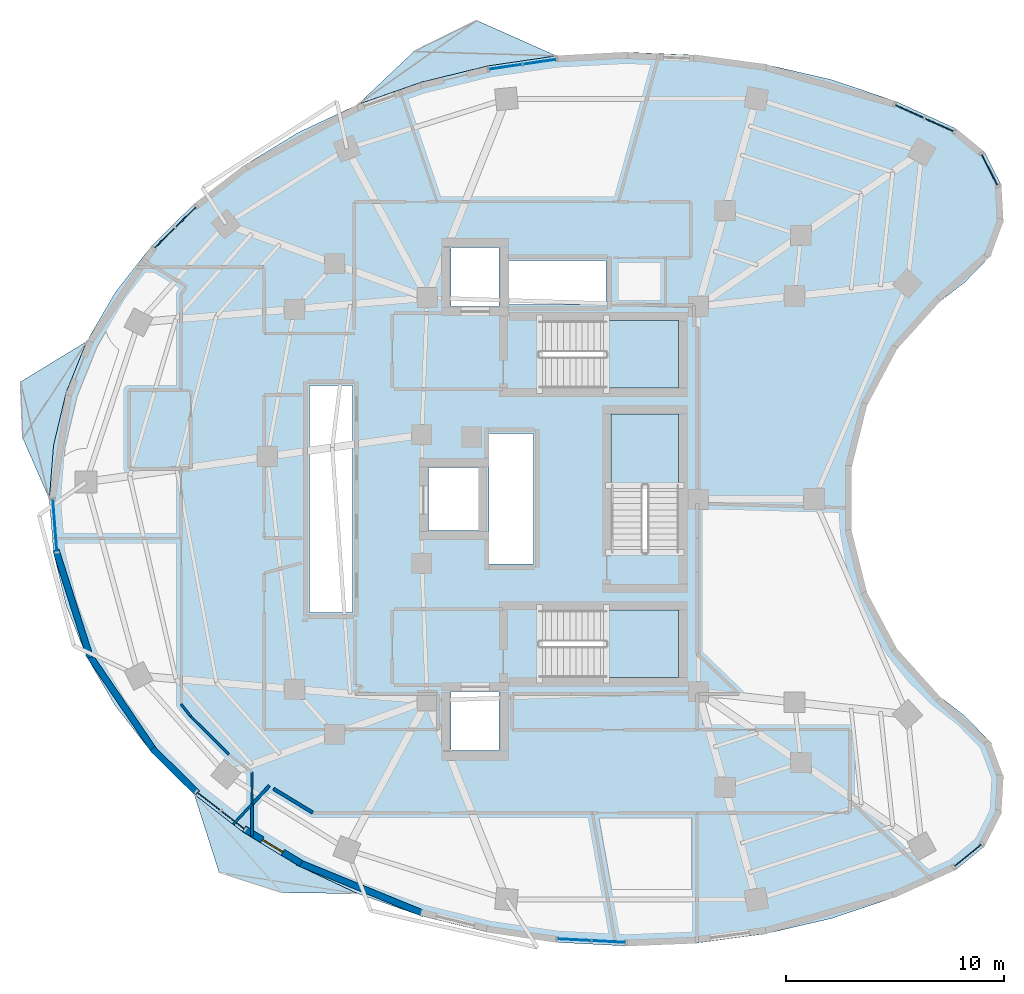
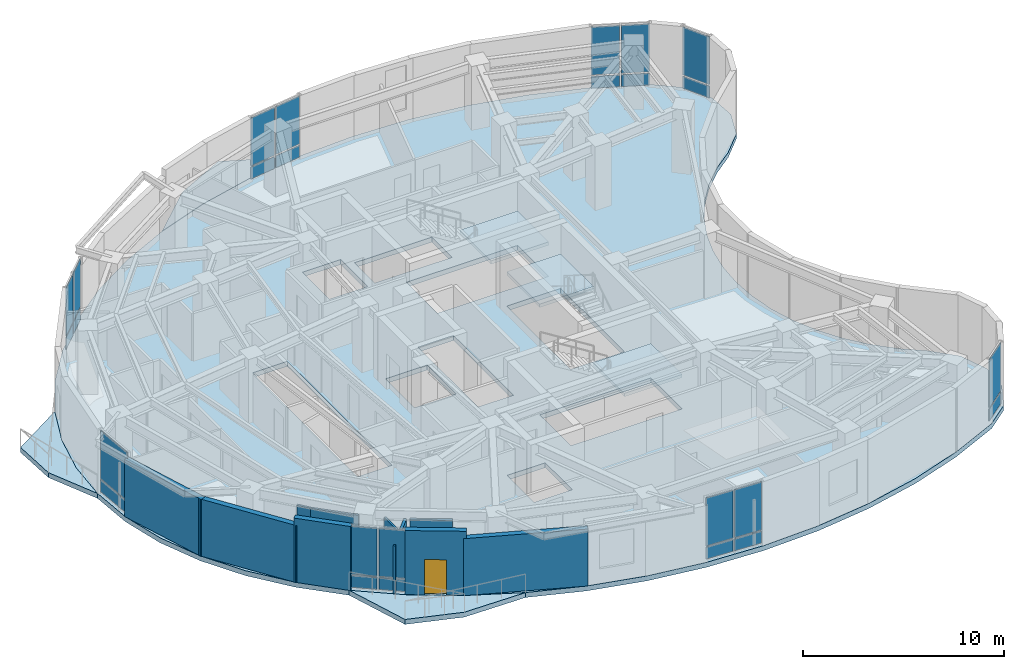
# One storey, part 6 of 13: 26 plates, 12 walls, 7 slabs, 1 door, 1 opening, 11 elements without a shape of their own.
"""IFC4 building model written with IfcOpenShell, lengths in metres."""

from ifc_helpers import new_model, si_unit, direction, frame, frame_2d, origin, origin_2d, place, context, subcontext, project, spatial, polyline, rectangle, outline, extrude, material, layer, layer_set, type_object, element, fill, aggregate, save


model = new_model("IFC4")

# Units and contexts
model_context = context("Model", 3, precision=1e-05, world=origin(), true_north=direction((0.0, 1.0)))
body_context = subcontext(model_context, "Body", "Model", "MODEL_VIEW")
ifc_project = project(units=[si_unit("LENGTHUNIT", "METRE"), si_unit("AREAUNIT", "SQUARE_METRE"), si_unit("VOLUMEUNIT", "CUBIC_METRE"), si_unit("PLANEANGLEUNIT", "RADIAN"), si_unit("MASSUNIT", "GRAM", prefix="KILO")], contexts=[model_context])

# Site, building, storey
site_placement = place(None, origin())
site = spatial("IfcSite", under=ifc_project, at=site_placement, CompositionType="ELEMENT")
building_placement = place(site_placement, origin())
building = spatial("IfcBuilding", under=site, at=building_placement, Name="Korentha Bioscience Tower", CompositionType="ELEMENT")
storey_placement = place(building_placement, frame((0.0, 0.0, 154.199951171875)))
storey = spatial("IfcBuildingStorey", under=building, at=storey_placement, Name="L35", CompositionType="ELEMENT", Elevation=154.199951171875)

# Curtain wall, plates
ifc_material_1 = material(Name="Thermally Broken Aluminium Frame", Category="aluminium")
ifc_layer_1 = layer(ifc_material_1, 0.219970703125, Name="Thermally Broken Aluminium Frame")
ifc_layer_set_1 = layer_set([ifc_layer_1], Name="Thermally Broken Aluminium Frame (CW-T1)")
curtain_wall_type = type_object("IfcCurtainWallType", Name="Standard Bioscience Lab Unitised Curtain Wall CW-T1", PredefinedType="USERDEFINED", material=ifc_layer_set_1)
curtain_wall_1_placement = place(storey_placement, origin())
curtain_wall_1 = element("IfcCurtainWall", 1, at=curtain_wall_1_placement, inside=storey, type_object=curtain_wall_type, Name="L35 Curtain Wall 01", ObjectType="UNITISED", PredefinedType="USERDEFINED")
ifc_material_2 = material(Name="Triple-Glazed Low-E Insulated Glass", Category="glass")
ifc_layer_2 = layer(ifc_material_2, 0.0439453125, Name="Triple-Glazed Low-E Insulated Glass")
ifc_layer_set_2 = layer_set([ifc_layer_2], Name="Triple-Glazed Low-E Insulated Glass (GL-44)")
plate_type = type_object("IfcPlateType", Name="Glazed Panel 44mm", PredefinedType="CURTAIN_PANEL", material=ifc_layer_set_2)
plate_1_placement = place(storey_placement, frame((48.625732421875, 44.190673828125, 0.08984375), z_axis=(0.0, 0.0, 1.0), x_axis=(-0.910644398392, 0.413190972406, 0.0)))
plate_1 = element("IfcPlate", 2, at=plate_1_placement, type_object=plate_type, Name="CW-L35-01 Bay 1 Glazed Panel 1", PredefinedType="CURTAIN_PANEL", context=body_context, shape_type="SweptSolid", body=[
    extrude(rectangle(XDim=1.422607421875, YDim=0.0439453125, at=origin_2d()), origin(), (0.0, 0.0, 1.0), 0.715087890625),
])
plate_2_placement = place(storey_placement, frame((48.625732421875, 44.190673828125, 0.89501953125), z_axis=(0.0, 0.0, 1.0), x_axis=(-0.910644398392, 0.413190972406, 0.0)))
plate_2 = element("IfcPlate", 3, at=plate_2_placement, type_object=plate_type, Name="CW-L35-01 Bay 1 Glazed Panel 2", PredefinedType="CURTAIN_PANEL", context=body_context, shape_type="SweptSolid", body=[
    extrude(rectangle(XDim=1.422607421875, YDim=0.0439453125, at=origin_2d()), origin(), (0.0, 0.0, 1.0), 2.9150390625),
])
plate_3_placement = place(storey_placement, frame((47.248291015625, 44.815673828125, 0.08984375), z_axis=(0.0, 0.0, 1.0), x_axis=(-0.910644398392, 0.413190972406, 0.0)))
plate_3 = element("IfcPlate", 4, at=plate_3_placement, type_object=plate_type, Name="CW-L35-01 Bay 2 Glazed Panel 1", PredefinedType="CURTAIN_PANEL", context=body_context, shape_type="SweptSolid", body=[
    extrude(rectangle(XDim=1.422607421875, YDim=0.0439453125, at=origin_2d()), origin(), (0.0, 0.0, 1.0), 0.715087890625),
])
plate_4_placement = place(storey_placement, frame((47.248291015625, 44.815673828125, 0.89501953125), z_axis=(0.0, 0.0, 1.0), x_axis=(-0.910644398392, 0.413190972406, 0.0)))
plate_4 = element("IfcPlate", 5, at=plate_4_placement, type_object=plate_type, Name="CW-L35-01 Bay 2 Glazed Panel 2", PredefinedType="CURTAIN_PANEL", context=body_context, shape_type="SweptSolid", body=[
    extrude(rectangle(XDim=1.422607421875, YDim=0.0439453125, at=origin_2d()), origin(), (0.0, 0.0, 1.0), 2.9150390625),
])
aggregate(curtain_wall_1, [plate_1, plate_2, plate_3, plate_4])

curtain_wall_2_placement = place(storey_placement, origin())
curtain_wall_2 = element("IfcCurtainWall", 6, at=curtain_wall_2_placement, inside=storey, type_object=curtain_wall_type, Name="L35 Curtain Wall 07", ObjectType="UNITISED", PredefinedType="USERDEFINED")
plate_5_placement = place(storey_placement, frame((30.27099609375, 47.090087890625, 0.08984375), z_axis=(0.0, 0.0, 1.0), x_axis=(-0.989461919888, -0.144793332342, 0.0)))
plate_5 = element("IfcPlate", 7, at=plate_5_placement, type_object=plate_type, Name="CW-L35-07 Bay 1 Glazed Panel 1", PredefinedType="CURTAIN_PANEL", context=body_context, shape_type="SweptSolid", body=[
    extrude(rectangle(XDim=1.498291015625, YDim=0.0439453125, at=origin_2d()), origin(), (0.0, 0.0, 1.0), 0.715087890625),
])
plate_6_placement = place(storey_placement, frame((30.27099609375, 47.090087890625, 0.89501953125), z_axis=(0.0, 0.0, 1.0), x_axis=(-0.989461919888, -0.144793332342, 0.0)))
plate_6 = element("IfcPlate", 8, at=plate_6_placement, type_object=plate_type, Name="CW-L35-07 Bay 1 Glazed Panel 2", PredefinedType="CURTAIN_PANEL", context=body_context, shape_type="SweptSolid", body=[
    extrude(rectangle(XDim=1.498291015625, YDim=0.0439453125, at=origin_2d()), origin(), (0.0, 0.0, 1.0), 2.9150390625),
])
plate_7_placement = place(storey_placement, frame((28.69921875, 46.860107421875, 0.08984375), z_axis=(0.0, 0.0, 1.0), x_axis=(-0.989461919888, -0.144793332342, 0.0)))
plate_7 = element("IfcPlate", 9, at=plate_7_placement, type_object=plate_type, Name="CW-L35-07 Bay 2 Glazed Panel 1", PredefinedType="CURTAIN_PANEL", context=body_context, shape_type="SweptSolid", body=[
    extrude(rectangle(XDim=1.498291015625, YDim=0.0439453125, at=origin_2d()), origin(), (0.0, 0.0, 1.0), 0.715087890625),
])
plate_8_placement = place(storey_placement, frame((28.69921875, 46.860107421875, 0.89501953125), z_axis=(0.0, 0.0, 1.0), x_axis=(-0.989461919888, -0.144793332342, 0.0)))
plate_8 = element("IfcPlate", 10, at=plate_8_placement, type_object=plate_type, Name="CW-L35-07 Bay 2 Glazed Panel 2", PredefinedType="CURTAIN_PANEL", context=body_context, shape_type="SweptSolid", body=[
    extrude(rectangle(XDim=1.498291015625, YDim=0.0439453125, at=origin_2d()), origin(), (0.0, 0.0, 1.0), 2.9150390625),
])
aggregate(curtain_wall_2, [plate_5, plate_6, plate_7, plate_8])

curtain_wall_3_placement = place(storey_placement, origin())
curtain_wall_3 = element("IfcCurtainWall", 11, at=curtain_wall_3_placement, inside=storey, type_object=curtain_wall_type, Name="L35 Curtain Wall 13", ObjectType="UNITISED", PredefinedType="USERDEFINED")
plate_9_placement = place(storey_placement, frame((14.00830078125, 39.957763671875, 0.08984375), z_axis=(0.0, 0.0, 1.0), x_axis=(-0.711460557971, -0.702726030862, 0.0)))
plate_9 = element("IfcPlate", 12, at=plate_9_placement, type_object=plate_type, Name="CW-L35-13 Bay 1 Glazed Panel 1", PredefinedType="CURTAIN_PANEL", context=body_context, shape_type="SweptSolid", body=[
    extrude(rectangle(XDim=1.290283203125, YDim=0.0439453125, at=origin_2d()), origin(), (0.0, 0.0, 1.0), 0.715087890625),
])
plate_10_placement = place(storey_placement, frame((14.00830078125, 39.957763671875, 0.89501953125), z_axis=(0.0, 0.0, 1.0), x_axis=(-0.711460557971, -0.702726030862, 0.0)))
plate_10 = element("IfcPlate", 13, at=plate_10_placement, type_object=plate_type, Name="CW-L35-13 Bay 1 Glazed Panel 2", PredefinedType="CURTAIN_PANEL", context=body_context, shape_type="SweptSolid", body=[
    extrude(rectangle(XDim=1.290283203125, YDim=0.0439453125, at=origin_2d()), origin(), (0.0, 0.0, 1.0), 2.9150390625),
])
plate_11_placement = place(storey_placement, frame((13.0263671875, 38.98779296875, 0.08984375), z_axis=(0.0, 0.0, 1.0), x_axis=(-0.711460557971, -0.702726030862, 0.0)))
plate_11 = element("IfcPlate", 14, at=plate_11_placement, type_object=plate_type, Name="CW-L35-13 Bay 2 Glazed Panel 1", PredefinedType="CURTAIN_PANEL", context=body_context, shape_type="SweptSolid", body=[
    extrude(rectangle(XDim=1.290283203125, YDim=0.0439453125, at=origin_2d()), origin(), (0.0, 0.0, 1.0), 0.715087890625),
])
plate_12_placement = place(storey_placement, frame((13.0263671875, 38.98779296875, 0.89501953125), z_axis=(0.0, 0.0, 1.0), x_axis=(-0.711460557971, -0.702726030862, 0.0)))
plate_12 = element("IfcPlate", 15, at=plate_12_placement, type_object=plate_type, Name="CW-L35-13 Bay 2 Glazed Panel 2", PredefinedType="CURTAIN_PANEL", context=body_context, shape_type="SweptSolid", body=[
    extrude(rectangle(XDim=1.290283203125, YDim=0.0439453125, at=origin_2d()), origin(), (0.0, 0.0, 1.0), 2.9150390625),
])
aggregate(curtain_wall_3, [plate_9, plate_10, plate_11, plate_12])

curtain_wall_4_placement = place(storey_placement, origin())
curtain_wall_4 = element("IfcCurtainWall", 16, at=curtain_wall_4_placement, inside=storey, type_object=curtain_wall_type, Name="L35 Curtain Wall 19", ObjectType="UNITISED", PredefinedType="USERDEFINED")
plate_13_placement = place(storey_placement, frame((7.991943359375, 25.781005859375, 0.08984375), z_axis=(0.0, 0.0, 1.0), x_axis=(0.078030772566, -0.996950950916, 0.0)))
plate_13 = element("IfcPlate", 17, at=plate_13_placement, type_object=plate_type, Name="CW-L35-19 Bay 1 Glazed Panel 1", PredefinedType="CURTAIN_PANEL", context=body_context, shape_type="SweptSolid", body=[
    extrude(rectangle(XDim=2.370361328125, YDim=0.0439453125, at=origin_2d()), origin(), (0.0, 0.0, 1.0), 0.715087890625),
])
plate_14_placement = place(storey_placement, frame((7.991943359375, 25.781005859375, 0.89501953125), z_axis=(0.0, 0.0, 1.0), x_axis=(0.078030772566, -0.996950950916, 0.0)))
plate_14 = element("IfcPlate", 18, at=plate_14_placement, type_object=plate_type, Name="CW-L35-19 Bay 1 Glazed Panel 2", PredefinedType="CURTAIN_PANEL", context=body_context, shape_type="SweptSolid", body=[
    extrude(rectangle(XDim=2.370361328125, YDim=0.0439453125, at=origin_2d()), origin(), (0.0, 0.0, 1.0), 2.9150390625),
])
aggregate(curtain_wall_4, [plate_13, plate_14])

curtain_wall_5_placement = place(storey_placement, origin())
curtain_wall_5 = element("IfcCurtainWall", 19, at=curtain_wall_5_placement, inside=storey, type_object=curtain_wall_type, Name="L35 Curtain Wall 25", ObjectType="UNITISED", PredefinedType="USERDEFINED")
plate_15_placement = place(storey_placement, frame((15.0556640625, 13.126953125, 0.08984375), z_axis=(0.0, 0.0, 1.0), x_axis=(0.790546796919, -0.612401634454, 0.0)))
plate_15 = element("IfcPlate", 20, at=plate_15_placement, type_object=plate_type, Name="CW-L35-25 Bay 1 Glazed Panel 1", PredefinedType="CURTAIN_PANEL", context=body_context, shape_type="SweptSolid", body=[
    extrude(rectangle(XDim=1.3349609375, YDim=0.0439453125, at=origin_2d()), origin(), (0.0, 0.0, 1.0), 0.715087890625),
])
plate_16_placement = place(storey_placement, frame((15.0556640625, 13.126953125, 0.89501953125), z_axis=(0.0, 0.0, 1.0), x_axis=(0.790546796919, -0.612401634454, 0.0)))
plate_16 = element("IfcPlate", 21, at=plate_16_placement, type_object=plate_type, Name="CW-L35-25 Bay 1 Glazed Panel 2", PredefinedType="CURTAIN_PANEL", context=body_context, shape_type="SweptSolid", body=[
    extrude(rectangle(XDim=1.3349609375, YDim=0.0439453125, at=origin_2d()), origin(), (0.0, 0.0, 1.0), 2.9150390625),
])
plate_17_placement = place(storey_placement, frame((16.18212890625, 12.25439453125, 0.08984375), z_axis=(0.0, 0.0, 1.0), x_axis=(0.790546796919, -0.612401634454, 0.0)))
plate_17 = element("IfcPlate", 22, at=plate_17_placement, type_object=plate_type, Name="CW-L35-25 Bay 2 Glazed Panel 1", PredefinedType="CURTAIN_PANEL", context=body_context, shape_type="SweptSolid", body=[
    extrude(rectangle(XDim=1.3349609375, YDim=0.0439453125, at=origin_2d()), origin(), (0.0, 0.0, 1.0), 0.715087890625),
])
plate_18_placement = place(storey_placement, frame((16.18212890625, 12.25439453125, 0.89501953125), z_axis=(0.0, 0.0, 1.0), x_axis=(0.790546796919, -0.612401634454, 0.0)))
plate_18 = element("IfcPlate", 23, at=plate_18_placement, type_object=plate_type, Name="CW-L35-25 Bay 2 Glazed Panel 2", PredefinedType="CURTAIN_PANEL", context=body_context, shape_type="SweptSolid", body=[
    extrude(rectangle(XDim=1.3349609375, YDim=0.0439453125, at=origin_2d()), origin(), (0.0, 0.0, 1.0), 2.9150390625),
])
aggregate(curtain_wall_5, [plate_15, plate_16, plate_17, plate_18])

curtain_wall_6_placement = place(storey_placement, origin())
curtain_wall_6 = element("IfcCurtainWall", 24, at=curtain_wall_6_placement, inside=storey, type_object=curtain_wall_type, Name="L35 Curtain Wall 31", ObjectType="UNITISED", PredefinedType="USERDEFINED")
plate_19_placement = place(storey_placement, frame((31.849853515625, 6.75390625, 0.08984375), z_axis=(0.0, 0.0, 1.0), x_axis=(0.998637677307, -0.052180355139, 0.0)))
plate_19 = element("IfcPlate", 25, at=plate_19_placement, type_object=plate_type, Name="CW-L35-31 Bay 1 Glazed Panel 1", PredefinedType="CURTAIN_PANEL", context=body_context, shape_type="SweptSolid", body=[
    extrude(rectangle(XDim=1.50830078125, YDim=0.0439453125, at=origin_2d()), origin(), (0.0, 0.0, 1.0), 0.715087890625),
])
plate_20_placement = place(storey_placement, frame((31.849853515625, 6.75390625, 0.89501953125), z_axis=(0.0, 0.0, 1.0), x_axis=(0.998637677307, -0.052180355139, 0.0)))
plate_20 = element("IfcPlate", 26, at=plate_20_placement, type_object=plate_type, Name="CW-L35-31 Bay 1 Glazed Panel 2", PredefinedType="CURTAIN_PANEL", context=body_context, shape_type="SweptSolid", body=[
    extrude(rectangle(XDim=1.50830078125, YDim=0.0439453125, at=origin_2d()), origin(), (0.0, 0.0, 1.0), 2.9150390625),
])
plate_21_placement = place(storey_placement, frame((33.446044921875, 6.67041015625, 0.08984375), z_axis=(0.0, 0.0, 1.0), x_axis=(0.998637677307, -0.052180355139, 0.0)))
plate_21 = element("IfcPlate", 27, at=plate_21_placement, type_object=plate_type, Name="CW-L35-31 Bay 2 Glazed Panel 1", PredefinedType="CURTAIN_PANEL", context=body_context, shape_type="SweptSolid", body=[
    extrude(rectangle(XDim=1.50830078125, YDim=0.0439453125, at=origin_2d()), origin(), (0.0, 0.0, 1.0), 0.715087890625),
])
plate_22_placement = place(storey_placement, frame((33.446044921875, 6.67041015625, 0.89501953125), z_axis=(0.0, 0.0, 1.0), x_axis=(0.998637677307, -0.052180355139, 0.0)))
plate_22 = element("IfcPlate", 28, at=plate_22_placement, type_object=plate_type, Name="CW-L35-31 Bay 2 Glazed Panel 2", PredefinedType="CURTAIN_PANEL", context=body_context, shape_type="SweptSolid", body=[
    extrude(rectangle(XDim=1.50830078125, YDim=0.0439453125, at=origin_2d()), origin(), (0.0, 0.0, 1.0), 2.9150390625),
])
aggregate(curtain_wall_6, [plate_19, plate_20, plate_21, plate_22])

curtain_wall_7_placement = place(storey_placement, origin())
curtain_wall_7 = element("IfcCurtainWall", 29, at=curtain_wall_7_placement, inside=storey, type_object=curtain_wall_type, Name="L35 Curtain Wall 37", ObjectType="UNITISED", PredefinedType="USERDEFINED")
plate_23_placement = place(storey_placement, frame((49.938720703125, 10.637451171875, 0.08984375), z_axis=(0.0, 0.0, 1.0), x_axis=(0.77425646139, 0.632871971251, 0.0)))
plate_23 = element("IfcPlate", 30, at=plate_23_placement, type_object=plate_type, Name="CW-L35-37 Bay 1 Glazed Panel 1", PredefinedType="CURTAIN_PANEL", context=body_context, shape_type="SweptSolid", body=[
    extrude(rectangle(XDim=1.591796875, YDim=0.0439453125, at=origin_2d()), origin(), (0.0, 0.0, 1.0), 0.715087890625),
])
plate_24_placement = place(storey_placement, frame((49.938720703125, 10.637451171875, 0.89501953125), z_axis=(0.0, 0.0, 1.0), x_axis=(0.77425646139, 0.632871971251, 0.0)))
plate_24 = element("IfcPlate", 31, at=plate_24_placement, type_object=plate_type, Name="CW-L35-37 Bay 1 Glazed Panel 2", PredefinedType="CURTAIN_PANEL", context=body_context, shape_type="SweptSolid", body=[
    extrude(rectangle(XDim=1.591796875, YDim=0.0439453125, at=origin_2d()), origin(), (0.0, 0.0, 1.0), 2.9150390625),
])
aggregate(curtain_wall_7, [plate_23, plate_24])

curtain_wall_8_placement = place(storey_placement, origin())
curtain_wall_8 = element("IfcCurtainWall", 32, at=curtain_wall_8_placement, inside=storey, type_object=curtain_wall_type, Name="L35 Curtain Wall 61", ObjectType="UNITISED", PredefinedType="USERDEFINED")
plate_25_placement = place(storey_placement, frame((50.936767578125, 42.124755859375, 0.08984375), z_axis=(0.0, 0.0, 1.0), x_axis=(-0.45428845847, 0.890854643868, 0.0)))
plate_25 = element("IfcPlate", 33, at=plate_25_placement, type_object=plate_type, Name="CW-L35-61 Bay 1 Glazed Panel 1", PredefinedType="CURTAIN_PANEL", context=body_context, shape_type="SweptSolid", body=[
    extrude(rectangle(XDim=1.591796875, YDim=0.0439453125, at=origin_2d()), origin(), (0.0, 0.0, 1.0), 0.715087890625),
])
plate_26_placement = place(storey_placement, frame((50.936767578125, 42.124755859375, 0.89501953125), z_axis=(0.0, 0.0, 1.0), x_axis=(-0.45428845847, 0.890854643868, 0.0)))
plate_26 = element("IfcPlate", 34, at=plate_26_placement, type_object=plate_type, Name="CW-L35-61 Bay 1 Glazed Panel 2", PredefinedType="CURTAIN_PANEL", context=body_context, shape_type="SweptSolid", body=[
    extrude(rectangle(XDim=1.591796875, YDim=0.0439453125, at=origin_2d()), origin(), (0.0, 0.0, 1.0), 2.9150390625),
])
aggregate(curtain_wall_8, [plate_25, plate_26])

# Slab
ifc_material_3 = material(Name="Concrete C50", Category="concrete")
ifc_layer_3 = layer(ifc_material_3, 0.300048828125, Name="Concrete C50")
ifc_layer_set_3 = layer_set([ifc_layer_3], Name="Concrete C50 (SL-L300)")
slab_type_1 = type_object("IfcSlabType", Name="Laboratory Vibration-Controlled Slab 300", PredefinedType="FLOOR", material=ifc_layer_set_3)
slab_1_placement = place(storey_placement, frame((0.0, 0.0, -0.300048828125)))
element("IfcSlab", 35, at=slab_1_placement, inside=storey, type_object=slab_type_1, Name="L35 Tower Structural Floor Slab", PredefinedType="FLOOR", context=body_context, shape_type="SweptSolid", body=[
    extrude(outline(polyline([(49.38525390625, 44.021728515625), (46.62109375, 45.27587890625), (43.681396484375, 46.266357421875), (40.608154296875, 46.978515625), (37.446044921875, 47.40234375), (34.24072265625, 47.531494140625), (31.038330078125, 47.364013671875), (27.88525390625, 46.902587890625), (24.826904296875, 46.154052734375), (21.907470703125, 45.128662109375), (19.169189453125, 43.841552734375), (16.6513671875, 42.311279296875), (14.390380859375, 40.56005859375), (12.419189453125, 38.613037109375), (10.76611328125, 36.498291015625), (9.454833984375, 34.246337890625), (8.504638671875, 31.889892578125), (7.9287109375, 29.462646484375), (7.736083984375, 27.0), (7.9287109375, 24.537353515625), (8.504638671875, 22.110107421875), (9.454833984375, 19.753662109375), (10.76611328125, 17.501708984375), (12.419189453125, 15.386962890625), (14.390380859375, 13.43994140625), (16.6513671875, 11.688720703125), (19.169189453125, 10.158447265625), (21.907470703125, 8.871337890625), (24.826904296875, 7.845947265625), (27.88525390625, 7.097412109375), (31.038330078125, 6.635986328125), (34.24072265625, 6.468505859375), (37.446044921875, 6.59765625), (40.608154296875, 7.021484375), (43.681396484375, 7.733642578125), (46.62109375, 8.72412109375), (49.38525390625, 9.978271484375), (50.695068359375, 11.048828125), (51.46337890625, 12.55615234375), (51.560791015625, 14.2451171875), (50.970458984375, 15.83056640625), (49.792236328125, 17.044677734375), (48.629150390625, 17.937255859375), (47.583251953125, 18.96484375), (46.670654296875, 20.1123046875), (45.904541015625, 21.3623046875), (45.29638671875, 22.696533203125), (44.855712890625, 24.094970703125), (44.58837890625, 25.53662109375), (44.498779296875, 27.0), (44.58837890625, 28.46337890625), (44.855712890625, 29.905029296875), (45.29638671875, 31.303466796875), (45.904541015625, 32.6376953125), (46.670654296875, 33.8876953125), (47.583251953125, 35.03515625), (48.629150390625, 36.062744140625), (49.792236328125, 36.955322265625), (50.970458984375, 38.16943359375), (51.560791015625, 39.7548828125), (51.46337890625, 41.44384765625), (50.695068359375, 42.951171875), (49.38525390625, 44.021728515625)]), holes=[polyline([(30.25, 32.10009765625), (36.64990234375, 32.10009765625), (36.64990234375, 35.199951171875), (30.25, 35.199951171875), (30.25, 32.10009765625)]), polyline([(30.25, 18.800048828125), (36.64990234375, 18.800048828125), (36.64990234375, 21.89990234375), (30.25, 21.89990234375), (30.25, 18.800048828125)]), polyline([(36.64990234375, 24.550048828125), (36.64990234375, 30.89990234375), (33.550048828125, 30.89990234375), (33.550048828125, 24.550048828125), (36.64990234375, 24.550048828125)]), polyline([(19.679931640625, 21.780029296875), (21.669921875, 21.780029296875), (21.669921875, 32.219970703125), (19.679931640625, 32.219970703125), (19.679931640625, 21.780029296875)]), polyline([(27.929931640625, 24.030029296875), (29.969970703125, 24.030029296875), (29.969970703125, 30.02001953125), (27.929931640625, 30.02001953125), (27.929931640625, 24.030029296875)]), polyline([(28.860107421875, 35.93994140625), (33.31005859375, 35.93994140625), (33.31005859375, 37.9599609375), (28.860107421875, 37.9599609375), (28.860107421875, 35.93994140625)]), polyline([(26.199951171875, 15.449951171875), (28.39990234375, 15.449951171875), (28.39990234375, 18.14990234375), (26.199951171875, 18.14990234375), (26.199951171875, 15.449951171875)]), polyline([(26.199951171875, 35.85009765625), (28.39990234375, 35.85009765625), (28.39990234375, 38.550048828125), (26.199951171875, 38.550048828125), (26.199951171875, 35.85009765625)]), polyline([(25.14990234375, 25.550048828125), (27.550048828125, 25.550048828125), (27.550048828125, 28.449951171875), (25.14990234375, 28.449951171875), (25.14990234375, 25.550048828125)])]), origin(), (0.0, 0.0, 1.0), 0.300048828125),
])

# Stair, slab
ifc_material_4 = material(Name="Precast Concrete C50", Category="concrete")
stair_type = type_object("IfcStairType", Name="Core Exit Dog-Leg Stair 1450", PredefinedType="HALF_TURN_STAIR", material=ifc_material_4)
stair_1_placement = place(storey_placement, origin())
stair_1 = element("IfcStair", 36, at=stair_1_placement, inside=storey, type_object=stair_type, Name="L35 Tower North Pressurized Exit Stair ST-1", PredefinedType="HALF_TURN_STAIR")
ifc_layer_4 = layer(ifc_material_3, 0.199951171875, Name="Concrete C50")
ifc_layer_set_4 = layer_set([ifc_layer_4], Name="Concrete C50 (SL-LND)")
slab_type_2 = type_object("IfcSlabType", Name="Landing Slab 200", PredefinedType="LANDING", material=ifc_layer_set_4)
slab_2_placement = place(storey_placement, frame((0.0, 0.0, 1.900146484375)))
slab_2 = element("IfcSlab", 37, at=slab_2_placement, type_object=slab_type_2, Name="ST-1 landing 1", PredefinedType="LANDING", context=body_context, shape_type="SweptSolid", body=[
    extrude(outline(polyline([(33.330078125, 32.10009765625), (36.64990234375, 32.10009765625), (36.64990234375, 35.199951171875), (33.330078125, 35.199951171875), (33.330078125, 32.10009765625)])), origin(), (0.0, 0.0, 1.0), 0.199951171875),
])
aggregate(stair_1, [slab_2])

stair_2_placement = place(storey_placement, origin())
stair_2 = element("IfcStair", 38, at=stair_2_placement, inside=storey, type_object=stair_type, Name="L35 Tower South Pressurized Exit Stair ST-2", PredefinedType="HALF_TURN_STAIR")
slab_3_placement = place(storey_placement, frame((0.0, 0.0, 1.900146484375)))
slab_3 = element("IfcSlab", 39, at=slab_3_placement, type_object=slab_type_2, Name="ST-2 landing 1", PredefinedType="LANDING", context=body_context, shape_type="SweptSolid", body=[
    extrude(outline(polyline([(33.330078125, 18.800048828125), (36.64990234375, 18.800048828125), (36.64990234375, 21.89990234375), (33.330078125, 21.89990234375), (33.330078125, 18.800048828125)])), origin(), (0.0, 0.0, 1.0), 0.199951171875),
])
aggregate(stair_2, [slab_3])

stair_3_placement = place(storey_placement, origin())
stair_3 = element("IfcStair", 40, at=stair_3_placement, inside=storey, type_object=stair_type, Name="L35 Tower Central Pressurized Exit Stair ST-3", PredefinedType="HALF_TURN_STAIR")
slab_4_placement = place(storey_placement, frame((0.0, 0.0, 1.900146484375)))
slab_4 = element("IfcSlab", 41, at=slab_4_placement, type_object=slab_type_2, Name="ST-3 landing 1", PredefinedType="LANDING", context=body_context, shape_type="SweptSolid", body=[
    extrude(outline(polyline([(36.64990234375, 27.6298828125), (36.64990234375, 30.89990234375), (33.550048828125, 30.89990234375), (33.550048828125, 27.6298828125), (36.64990234375, 27.6298828125)])), origin(), (0.0, 0.0, 1.0), 0.199951171875),
])
aggregate(stair_3, [slab_4])

# Slabs
ifc_layer_5 = layer(ifc_material_3, 0.300048828125, Name="Concrete C50")
ifc_layer_set_5 = layer_set([ifc_layer_5], Name="Concrete C50 (BS-240)")
slab_type_3 = type_object("IfcSlabType", Name="Sawtooth Sun-Ledge Balcony Slab 240", PredefinedType="USERDEFINED", material=ifc_layer_set_5)
slab_5_placement = place(storey_placement, frame((0.0, 0.0, -0.300048828125)))
element("IfcSlab", 42, at=slab_5_placement, inside=storey, type_object=slab_type_3, Name="L35 Sun-Ledge Balcony 01", ObjectType="BALCONY", PredefinedType="USERDEFINED", context=body_context, shape_type="SweptSolid", body=[
    extrude(outline(polyline([(21.907470703125, 45.128662109375), (24.826904296875, 46.154052734375), (27.88525390625, 46.902587890625), (31.038330078125, 47.364013671875), (27.3740234375, 48.990966796875), (24.482177734375, 47.5625), (21.907470703125, 45.128662109375)])), origin(), (0.0, 0.0, 1.0), 0.300048828125),
])
slab_6_placement = place(storey_placement, frame((0.0, 0.0, -0.300048828125)))
element("IfcSlab", 43, at=slab_6_placement, inside=storey, type_object=slab_type_3, Name="L35 Sun-Ledge Balcony 02", ObjectType="BALCONY", PredefinedType="USERDEFINED", context=body_context, shape_type="SweptSolid", body=[
    extrude(outline(polyline([(7.736083984375, 27.0), (7.9287109375, 29.462646484375), (8.504638671875, 31.889892578125), (9.454833984375, 34.246337890625), (6.41259765625, 32.385986328125), (6.517822265625, 29.79736328125), (7.736083984375, 27.0)])), origin(), (0.0, 0.0, 1.0), 0.300048828125),
])
slab_7_placement = place(storey_placement, frame((0.0, 0.0, -0.300048828125)))
element("IfcSlab", 44, at=slab_7_placement, inside=storey, type_object=slab_type_3, Name="L35 Sun-Ledge Balcony 03", ObjectType="BALCONY", PredefinedType="USERDEFINED", context=body_context, shape_type="SweptSolid", body=[
    extrude(outline(polyline([(21.907470703125, 8.871337890625), (19.169189453125, 10.158447265625), (16.6513671875, 11.688720703125), (14.390380859375, 13.43994140625), (15.53466796875, 9.851318359375), (18.416015625, 8.919189453125), (21.907470703125, 8.871337890625)])), origin(), (0.0, 0.0, 1.0), 0.300048828125),
])

# Walls
ifc_material_5 = material(Name="Double-Stud Acoustic Gypsum", Category="gypsum")
ifc_layer_6 = layer(ifc_material_5, 0.14990234375, Name="Double-Stud Acoustic Gypsum")
ifc_layer_set_6 = layer_set([ifc_layer_6], Name="Double-Stud Acoustic Gypsum (IW-L150)")
wall_type_1 = type_object("IfcWallType", Name="Acoustic Laboratory Partition Wall 150", PredefinedType="PARTITIONING", material=ifc_layer_set_6)
wall_1_placement = place(storey_placement, frame((18.03125, 13.693603515625, 0.0), z_axis=(0.0, 0.0, 1.0), x_axis=(0.85454497186, -0.51937740716, 0.0)))
element("IfcWall", 45, at=wall_1_placement, inside=storey, type_object=wall_type_1, Name="L35 Interior Partition 036", PredefinedType="PARTITIONING", context=body_context, shape_type="SweptSolid", body=[
    extrude(rectangle(XDim=2.121826171875, YDim=0.14990234375, at=frame_2d((1.06103515625, 0.0))), origin(), (0.0, 0.0, 1.0), 2.91015625),
])
wall_2_placement = place(storey_placement, frame((17.052001953125, 11.514404296875, 0.0), z_axis=(0.0, 0.0, 1.0), x_axis=(0.0, 1.0, 0.0)))
element("IfcWall", 46, at=wall_2_placement, inside=storey, type_object=wall_type_1, Name="L35 Interior Partition 038", PredefinedType="PARTITIONING", context=body_context, shape_type="SweptSolid", body=[
    extrude(rectangle(XDim=1.459716796875, YDim=0.14990234375, at=frame_2d((0.72998046875, 0.0))), origin(), (0.0, 0.0, 1.0), 2.91015625),
])
wall_3_placement = place(storey_placement, frame((17.05810546875, 12.989501953125, 0.0), z_axis=(0.0, 0.0, 1.0), x_axis=(0.681994997266, 0.731356837464, 0.0)))
element("IfcWall", 47, at=wall_3_placement, inside=storey, type_object=wall_type_1, Name="L35 Interior Partition 039", PredefinedType="PARTITIONING", context=body_context, shape_type="SweptSolid", body=[
    extrude(rectangle(XDim=1.157470703125, YDim=0.14990234375, at=frame_2d((0.57861328125, 0.0))), origin(), (0.0, 0.0, 1.0), 2.91015625),
])
ifc_material_6 = material(Name="Fire-Rated Framed Glass", Category="glass")
ifc_layer_7 = layer(ifc_material_6, 0.110107421875, Name="Fire-Rated Framed Glass")
ifc_layer_set_7 = layer_set([ifc_layer_7], Name="Fire-Rated Framed Glass (IW-G110)")
wall_type_2 = type_object("IfcWallType", Name="Demountable Glazed Office Partition 110", PredefinedType="MOVABLE", material=ifc_layer_set_7)
wall_4_placement = place(storey_placement, frame((13.7919921875, 17.576416015625, 0.0), z_axis=(0.0, 0.0, 1.0), x_axis=(0.615925776879, -0.787804187204, 0.0)))
element("IfcWall", 48, at=wall_4_placement, inside=storey, type_object=wall_type_2, Name="L35 Interior Partition 023", PredefinedType="MOVABLE", context=body_context, shape_type="SweptSolid", body=[
    extrude(rectangle(XDim=0.722900390625, YDim=0.110107421875, at=frame_2d((0.361328125, 0.0))), origin(), (0.0, 0.0, 1.0), 2.91015625),
])
wall_5_placement = place(storey_placement, frame((14.23828125, 17.005859375, 0.0), z_axis=(0.0, 0.0, 1.0), x_axis=(0.711447157113, -0.702739598027, 0.0)))
element("IfcWall", 49, at=wall_5_placement, inside=storey, type_object=wall_type_2, Name="L35 Interior Partition 024", PredefinedType="MOVABLE", context=body_context, shape_type="SweptSolid", body=[
    extrude(rectangle(XDim=2.46728515625, YDim=0.110107421875, at=frame_2d((1.233642578125, 0.0))), origin(), (0.0, 0.0, 1.0), 2.91015625),
])
wall_6_placement = place(storey_placement, frame((17.048095703125, 14.455078125, 0.0), z_axis=(0.0, 0.0, 1.0), x_axis=(0.0, -1.0, 0.0)))
element("IfcWall", 50, at=wall_6_placement, inside=storey, type_object=wall_type_2, Name="L35 Interior Partition 026", PredefinedType="MOVABLE", context=body_context, shape_type="SweptSolid", body=[
    extrude(rectangle(XDim=1.470458984375, YDim=0.110107421875, at=frame_2d((0.7353515625, 0.0))), origin(), (0.0, 0.0, 1.0), 2.91015625),
])
wall_7_placement = place(storey_placement, frame((17.0478515625, 12.984375, 0.0), z_axis=(0.0, 0.0, 1.0), x_axis=(-0.681894093702, -0.731450917679, 0.0)))
element("IfcWall", 51, at=wall_7_placement, inside=storey, type_object=wall_type_2, Name="L35 Interior Partition 027", PredefinedType="MOVABLE", context=body_context, shape_type="SweptSolid", body=[
    extrude(rectangle(XDim=1.251220703125, YDim=0.110107421875, at=frame_2d((0.62548828125, 0.0))), origin(), (0.0, 0.0, 1.0), 2.91015625),
])

# Wall, opening, door
ifc_material_7 = material(Name="Honed Limestone Precast Concrete C40", Category="masonry")
ifc_layer_8 = layer(ifc_material_7, 0.300048828125, Name="Honed Limestone Precast Concrete C40")
ifc_layer_set_8 = layer_set([ifc_layer_8], Name="Honed Limestone Precast Concrete C40 (EW-ST300)")
wall_type_3 = type_object("IfcWallType", Name="Honed Limestone Cavity Spandrel Wall 300", PredefinedType="STANDARD", material=ifc_layer_set_8)
wall_8_placement = place(storey_placement, frame((16.68310546875, 11.8564453125, 0.0), z_axis=(0.0, 0.0, 1.0), x_axis=(0.85455658592, -0.519358297769, 0.0)))
wall_8 = element("IfcWall", 52, at=wall_8_placement, inside=storey, type_object=wall_type_3, Name="L35 Balcony Threshold Wall 03", PredefinedType="STANDARD", context=body_context, shape_type="SweptSolid", body=[
    extrude(rectangle(XDim=3.06640625, YDim=0.300048828125, at=frame_2d((1.533203125, 0.0))), origin(), (0.0, 0.0, 1.0), 3.900146484375),
])
opening_placement = place(wall_8_placement, frame((0.983154296875, 0.0, 0.0)))
opening = element("IfcOpeningElement", 53, at=opening_placement, cuts=wall_8, Name="Opening BD-11L", PredefinedType="OPENING", context=body_context, shape_type="SweptSolid", body=[
    extrude(rectangle(XDim=1.10009765625, YDim=2.14990234375, at=frame_2d((0.550048828125, 1.074951171875))), frame((0.0, 0.1650390625, 0.0), z_axis=(0.0, -1.0, 0.0), x_axis=(1.0, 0.0, 0.0)), (0.0, 0.0, 1.0), 0.329833984375),
])
ifc_material_8 = material(Name="Thermally Broken Glazed Aluminium", Category="aluminium")
door_type = type_object("IfcDoorType", Name="Balcony Terrace Glazed Door 1100x2150 Left", OperationType="SINGLE_SWING_LEFT", PredefinedType="DOOR", material=ifc_material_8)
door_placement = place(opening_placement, origin())
door = element("IfcDoor", 54, at=door_placement, inside=storey, type_object=door_type, Name="L35 Balcony Access Door 03", OperationType="SINGLE_SWING_LEFT", OverallHeight=2.14990234375, OverallWidth=1.10009765625, PredefinedType="DOOR", context=body_context, shape_type="SweptSolid", body=[
    extrude(rectangle(XDim=1.10009765625, YDim=2.14990234375, at=frame_2d((0.550048828125, 1.074951171875))), frame((0.0, 0.02490234375, 0.0), z_axis=(0.0, -1.0, 0.0), x_axis=(1.0, 0.0, 0.0)), (0.0, 0.0, 1.0), 0.050048828125),
])
fill(opening, door)

# Walls
wall_9_placement = place(storey_placement, frame((8.037841796875, 24.656005859375, 0.0), z_axis=(0.0, 0.0, 1.0), x_axis=(0.303930984078, -0.952694052106, 0.0)))
element("IfcWall", 55, at=wall_9_placement, inside=storey, type_object=wall_type_3, Name="L35 Limestone Perimeter Closure Wall 20", PredefinedType="STANDARD", context=body_context, shape_type="SweptSolid", body=[
    extrude(rectangle(XDim=5.18115234375, YDim=0.300048828125, at=frame_2d((2.590576171875, 0.0))), origin(), (0.0, 0.0, 1.0), 3.469970703125),
])
wall_10_placement = place(storey_placement, frame((9.52587890625, 19.8984375, 0.0), z_axis=(0.0, 0.0, 1.0), x_axis=(0.561663900064, -0.827365495634, 0.0)))
element("IfcWall", 56, at=wall_10_placement, inside=storey, type_object=wall_type_3, Name="L35 Limestone Perimeter Closure Wall 22", PredefinedType="STANDARD", context=body_context, shape_type="SweptSolid", body=[
    extrude(rectangle(XDim=5.437744140625, YDim=0.300048828125, at=frame_2d((2.71875, 0.0))), origin(), (0.0, 0.0, 1.0), 3.469970703125),
])
wall_11_placement = place(storey_placement, frame((12.460693359375, 15.542724609375, 0.0), z_axis=(0.0, 0.0, 1.0), x_axis=(0.711508162911, -0.702677830951, 0.0)))
element("IfcWall", 57, at=wall_11_placement, inside=storey, type_object=wall_type_3, Name="L35 Limestone Perimeter Closure Wall 24", PredefinedType="STANDARD", context=body_context, shape_type="SweptSolid", body=[
    extrude(rectangle(XDim=2.9306640625, YDim=0.300048828125, at=frame_2d((1.46533203125, 0.0))), origin(), (0.0, 0.0, 1.0), 3.900146484375),
])
wall_12_placement = place(storey_placement, frame((19.14794921875, 10.318359375, 0.0), z_axis=(0.0, 0.0, 1.0), x_axis=(0.925664098805, -0.378346370648, 0.0)))
element("IfcWall", 58, at=wall_12_placement, inside=storey, type_object=wall_type_3, Name="L35 Limestone Perimeter Closure Wall 27", PredefinedType="STANDARD", context=body_context, shape_type="SweptSolid", body=[
    extrude(rectangle(XDim=6.272216796875, YDim=0.300048828125, at=frame_2d((3.13623046875, 0.0))), origin(), (0.0, 0.0, 1.0), 3.469970703125),
])

save(model, "model.ifc")
